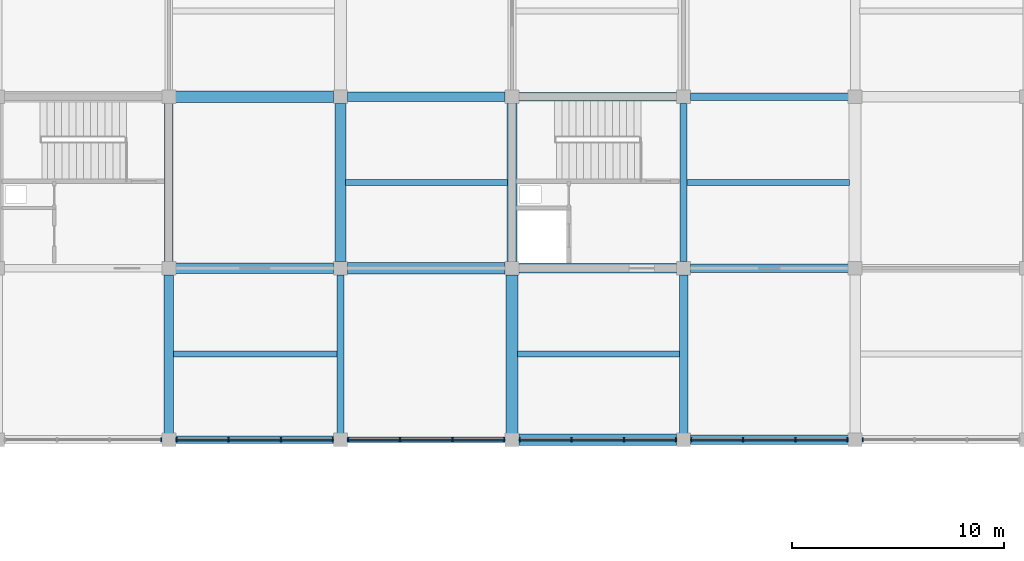
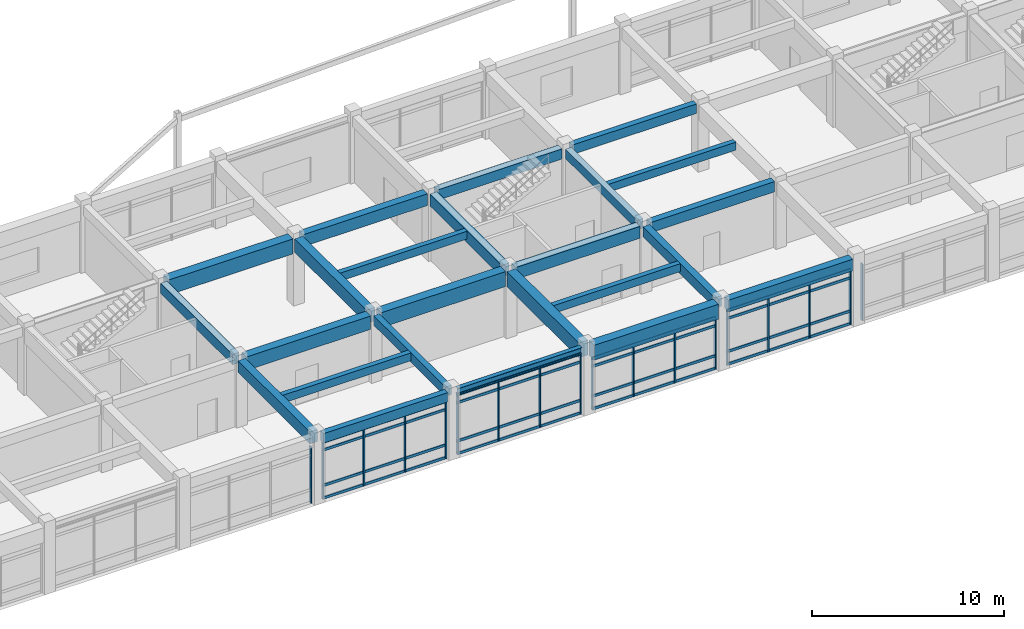
# One storey, part 31 of 93: 34 members, 24 beams, 6 elements without a shape of their own.
"""IFC4 building model written with IfcOpenShell, lengths in metres."""

import ifcopenshell
import ifcopenshell.guid

model = None  # the IFC model being written
_history = None  # IfcOwnerHistory: only IFC2X3 demands one
_inside = {}  # id of a spatial element -> (the spatial element, [elements in it])
_under = {}  # id of a project, library or spatial element -> (it, [spatial elements below it])
_declared = {}  # id of a project -> (the project, [libraries it declares])
_typed = {}  # id of a type object -> (the type object, [elements of that type])
_made_of = {}  # id of a material, layer set ... -> (it, [elements and type objects made of it])


def new_model(schema):
    """Start an empty IFC model of exactly this schema.

    Asked for "IFC4X3", IfcOpenShell would pick the latest addendum, in which some entities
    have other attributes; the version numbers below select the first issue.
    IFC2X3 requires an IfcOwnerHistory on every rooted entity: one is made here for all.
    """
    global model, _history
    if schema == "IFC4X3":
        model = ifcopenshell.file(schema_version=(4, 3, 0, 0))
    else:
        model = ifcopenshell.file(schema=schema)
    _inside.clear()
    _under.clear()
    _declared.clear()
    _typed.clear()
    _made_of.clear()
    _history = None
    if model.schema == "IFC2X3":
        org = make("IfcOrganization", Name="unknown")
        user = make(
            "IfcPersonAndOrganization",
            ThePerson=make("IfcPerson", FamilyName="unknown"),
            TheOrganization=org,
        )
        app = make(
            "IfcApplication",
            ApplicationDeveloper=org,
            Version="unknown",
            ApplicationFullName="unknown",
            ApplicationIdentifier="unknown",
        )
        _history = make(
            "IfcOwnerHistory",
            OwningUser=user,
            OwningApplication=app,
            ChangeAction="ADDED",
            CreationDate=0,
        )
    return model


def make(cls, **values):
    """One entity of the class cls with the attributes given. An attribute that is None is left unset."""
    return model.create_entity(
        cls, **{name: value for name, value in values.items() if value is not None}
    )


def rooted(cls, **values):
    """An entity with a GlobalId (a new one), such as an element, a storey or a relation."""
    return make(cls, GlobalId=ifcopenshell.guid.new(), OwnerHistory=_history, **values)


def si_unit(unit_type, name, prefix=None):
    """IfcSIUnit, for example si_unit("LENGTHUNIT", "METRE", prefix="MILLI")."""
    return make("IfcSIUnit", UnitType=unit_type, Prefix=prefix, Name=name)


def assignment(units):
    """IfcUnitAssignment: the units of a project."""
    return None if units is None else make("IfcUnitAssignment", Units=units)


def point(xyz):
    """IfcCartesianPoint."""
    return None if xyz is None else make("IfcCartesianPoint", Coordinates=xyz)


def direction(xyz):
    """IfcDirection."""
    return None if xyz is None else make("IfcDirection", DirectionRatios=xyz)


def frame(location, z_axis=None, x_axis=None):
    """IfcAxis2Placement3D, a coordinate frame: its origin and axes. An axis left out is left unset."""
    return make(
        "IfcAxis2Placement3D",
        Location=point(location),
        Axis=direction(z_axis),
        RefDirection=direction(x_axis),
    )


def frame_2d(location, x_axis=None):
    """IfcAxis2Placement2D, a coordinate frame in the plane: its origin and x axis."""
    return make(
        "IfcAxis2Placement2D", Location=point(location), RefDirection=direction(x_axis)
    )


def origin():
    """The frame at (0, 0, 0) with its axes left unset."""
    return frame((0.0, 0.0, 0.0))


def origin_2d():
    """The frame at (0, 0) in the plane with its x axis left unset."""
    return frame_2d((0.0, 0.0))


def place(relative_to, where):
    """IfcLocalPlacement: puts the frame where relative to a parent placement (None: the world)."""
    return make(
        "IfcLocalPlacement", PlacementRelTo=relative_to, RelativePlacement=where
    )


def context(
    kind, dimensions, precision=None, world=None, true_north=None, identifier=None
):
    """IfcGeometricRepresentationContext, for example the 3D "Model" context."""
    return make(
        "IfcGeometricRepresentationContext",
        ContextIdentifier=identifier,
        ContextType=kind,
        CoordinateSpaceDimension=dimensions,
        Precision=precision,
        WorldCoordinateSystem=world,
        TrueNorth=true_north,
    )


def subcontext(parent, identifier, kind, view, scale=None):
    """IfcGeometricRepresentationSubContext, for example "Body" below "Model"."""
    return make(
        "IfcGeometricRepresentationSubContext",
        ContextIdentifier=identifier,
        ContextType=kind,
        ParentContext=parent,
        TargetScale=scale,
        TargetView=view,
    )


def project(units=None, contexts=None):
    """IfcProject with its units and contexts."""
    return rooted(
        "IfcProject",
        Name="project",
        RepresentationContexts=contexts,
        UnitsInContext=assignment(units),
    )


def spatial(cls, under=None, at=None, **own):
    """A site, building, storey or space (cls), placed at a placement, below another one or the project."""
    s = rooted(cls, ObjectPlacement=at, **own)
    if under is not None:
        _under.setdefault(under.id(), (under, []))[1].append(s)
    return s


def profile(cls, at=None, kind="AREA", **sizes):
    """A parametric profile (cls). Its sizes go by their IFC names, for example OverallWidth=200.0."""
    return make(cls, ProfileType=kind, Position=at, **sizes)


def rectangle(**sizes):
    """IfcRectangleProfileDef."""
    return profile("IfcRectangleProfileDef", **sizes)


def i_section(**sizes):
    """IfcIShapeProfileDef."""
    return profile("IfcIShapeProfileDef", **sizes)


def extrude(swept, where, along, depth):
    """IfcExtrudedAreaSolid: the profile swept, set in the frame where, extruded along a direction by depth."""
    return make(
        "IfcExtrudedAreaSolid",
        SweptArea=swept,
        Position=where,
        ExtrudedDirection=direction(along),
        Depth=depth,
    )


def shape(context_of_items, identifier, shape_type, items):
    """IfcShapeRepresentation: the items that make up one representation, for example the "Body"."""
    return make(
        "IfcShapeRepresentation",
        ContextOfItems=context_of_items,
        RepresentationIdentifier=identifier,
        RepresentationType=shape_type,
        Items=items,
    )


def material(Name=None, Category=None):
    """IfcMaterial."""
    return make("IfcMaterial", Name=Name, Category=Category)


def layer(
    of_material, thickness, ventilated=None, Name=None, Category=None, Priority=None
):
    """IfcMaterialLayer: one layer of a wall or slab, of a material (None: an air gap)."""
    return make(
        "IfcMaterialLayer",
        Material=of_material,
        LayerThickness=thickness,
        IsVentilated=ventilated,
        Name=Name,
        Category=Category,
        Priority=Priority,
    )


def layer_set(layers, Name=None):
    """IfcMaterialLayerSet."""
    return make("IfcMaterialLayerSet", MaterialLayers=layers, LayerSetName=Name)


def material_profile(
    of_material, cross_section, Name=None, Category=None, Priority=None
):
    """IfcMaterialProfile: a cross section and its material."""
    return make(
        "IfcMaterialProfile",
        Name=Name,
        Material=of_material,
        Profile=cross_section,
        Priority=Priority,
        Category=Category,
    )


def profile_set(profiles, Name=None, composite=None):
    """IfcMaterialProfileSet."""
    return make(
        "IfcMaterialProfileSet",
        Name=Name,
        MaterialProfiles=profiles,
        CompositeProfile=composite,
    )


def made_of(thing, what):
    """Note that an element or type object is made of a material, layer set ...; save() writes the relation."""
    if what is not None:
        _made_of.setdefault(what.id(), (what, []))[1].append(thing)
    return thing


def type_object(cls, material=None, **own):
    """A type object (cls), such as IfcWallType, which elements share."""
    return made_of(rooted(cls, **own), material)


def element(
    cls,
    number,
    at=None,
    inside=None,
    cuts=None,
    type_object=None,
    material=None,
    context=None,
    identifier="Body",
    shape_type=None,
    held_by="IfcProductDefinitionShape",
    body=None,
    shapes=None,
    **own,
):
    """One element of the class cls, such as IfcWall. Its Tag is "e" and its number.

    at: its placement. inside: the storey or other place that contains it. cuts: it is an
    opening in that element (IfcRelVoidsElement). A single representation is given by context,
    identifier, shape_type and body (its items); several are given by shapes. held_by: the class
    of the entity that holds the representations. save() writes the other relations.
    """
    e = rooted(cls, Tag="e%d" % number, ObjectPlacement=at, **own)
    if body is not None:
        shapes = [shape(context, identifier, shape_type, body)]
    if shapes is not None:
        e.Representation = make(held_by, Representations=shapes)
    if inside is not None:
        _inside.setdefault(inside.id(), (inside, []))[1].append(e)
    if cuts is not None:
        rooted(
            "IfcRelVoidsElement", RelatingBuildingElement=cuts, RelatedOpeningElement=e
        )
    if type_object is not None:
        _typed.setdefault(type_object.id(), (type_object, []))[1].append(e)
    return made_of(e, material)


def aggregate(whole, parts):
    """IfcRelAggregates: a whole, such as a stair, and the parts it consists of."""
    return rooted("IfcRelAggregates", RelatingObject=whole, RelatedObjects=parts)


def save(model, path):
    """Write the relations noted so far, then the file.

    IfcRelAggregates (storeys below a building ...), IfcRelContainedInSpatialStructure (elements
    in a storey), IfcRelDefinesByType, IfcRelAssociatesMaterial and IfcRelDeclares: one each for
    every whole, place, type object, material and project.
    """
    for whole, parts in _under.values():
        aggregate(whole, parts)
    for where, things in _inside.values():
        rooted(
            "IfcRelContainedInSpatialStructure",
            RelatedElements=things,
            RelatingStructure=where,
        )
    for kind, things in _typed.values():
        rooted("IfcRelDefinesByType", RelatedObjects=things, RelatingType=kind)
    for what, things in _made_of.values():
        rooted("IfcRelAssociatesMaterial", RelatedObjects=things, RelatingMaterial=what)
    for by, libraries in _declared.values():
        rooted("IfcRelDeclares", RelatingContext=by, RelatedDefinitions=libraries)
    model.write(path)


model = new_model("IFC4")

# Units and contexts
model_context = context("Model", 3, precision=1e-05, world=origin(), true_north=direction((0.0, 1.0)))
body_context = subcontext(model_context, "Body", "Model", "MODEL_VIEW")
ifc_project = project(units=[si_unit("LENGTHUNIT", "METRE"), si_unit("AREAUNIT", "SQUARE_METRE"), si_unit("VOLUMEUNIT", "CUBIC_METRE"), si_unit("PLANEANGLEUNIT", "RADIAN"), si_unit("MASSUNIT", "GRAM", prefix="KILO")], contexts=[model_context])

# Site, building, storey
site_placement = place(None, origin())
site = spatial("IfcSite", under=ifc_project, at=site_placement, CompositionType="ELEMENT")
building_placement = place(site_placement, origin())
building = spatial("IfcBuilding", under=site, at=building_placement, Name="Vaudrelin Polytechnic", CompositionType="ELEMENT")
storey_placement = place(building_placement, frame((0.0, 0.0, 5.10009765625)))
storey = spatial("IfcBuildingStorey", under=building, at=storey_placement, Name="L01", CompositionType="ELEMENT", Elevation=5.10009765625)

# Beams
ifc_material_1 = material(Name="Concrete 40 MPa", Category="concrete")
ifc_material_profile_1 = material_profile(ifc_material_1, rectangle(XDim=0.35009765625, YDim=0.60009765625, at=origin_2d()), Name="RC350x600")
ifc_profile_set_1 = profile_set([ifc_material_profile_1], Name="Concrete 40 MPa")
beam_type_1 = type_object("IfcBeamType", Name="BM-BM-RC3560", PredefinedType="BEAM", material=ifc_profile_set_1)
for number, where, z_axis, x_axis, name in (
    (1, (72.89990234375, 97.510009765625, 3.949951171875), (0.0, 1.0, 0.0), (-1.0, 0.0, 0.0), "L01 Y-beam 10-13"),
    (2, (89.10009765625, 105.610107421875, 3.949951171875), (0.0, 1.0, 0.0), (-1.0, 0.0, 0.0), "L01 Y-beam 12-14"),
):
    element("IfcBeam", number, at=place(storey_placement, frame(where, z_axis=z_axis, x_axis=x_axis)), inside=storey, type_object=beam_type_1, Name=name, PredefinedType="BEAM", context=body_context, shape_type="SweptSolid", body=[
        extrude(rectangle(XDim=0.35009765625, YDim=0.60009765625, at=origin_2d()), origin(), (0.0, 0.0, 1.0), 7.47998046875),
    ])
for number, where, z_axis, x_axis, name in (
    (3, (65.12109375, 97.199951171875, 3.949951171875), (1.0, 0.0, 0.0), (0.0, 1.0, 0.0), "L01 X-beam 9-13"),
    (4, (89.4208984375, 113.39990234375, 3.949951171875), (1.0, 0.0, 0.0), (0.0, 1.0, 0.0), "L01 X-beam 12-15"),
):
    element("IfcBeam", number, at=place(storey_placement, frame(where, z_axis=z_axis, x_axis=x_axis)), inside=storey, type_object=beam_type_1, Name=name, PredefinedType="BEAM", context=body_context, shape_type="SweptSolid", body=[
        extrude(rectangle(XDim=0.35009765625, YDim=0.60009765625, at=origin_2d()), origin(), (0.0, 0.0, 1.0), 7.4580078125),
    ])
ifc_material_profile_2 = material_profile(ifc_material_1, rectangle(XDim=0.39990234375, YDim=0.64990234375, at=origin_2d()), Name="RC400x650")
ifc_profile_set_2 = profile_set([ifc_material_profile_2], Name="Concrete 40 MPa")
beam_type_2 = type_object("IfcBeamType", Name="BM-BM-RC4065", PredefinedType="BEAM", material=ifc_profile_set_2)
for number, where, z_axis, x_axis, name in (
    (5, (64.800048828125, 105.610107421875, 3.9248046875), (0.0, 1.0, 0.0), (-1.0, 0.0, 0.0), "L01 Y-beam 9-14"),
    (6, (89.10009765625, 97.510009765625, 3.9248046875), (0.0, 1.0, 0.0), (-1.0, 0.0, 0.0), "L01 Y-beam 12-13"),
):
    element("IfcBeam", number, at=place(storey_placement, frame(where, z_axis=z_axis, x_axis=x_axis)), inside=storey, type_object=beam_type_2, Name=name, PredefinedType="BEAM", context=body_context, shape_type="SweptSolid", body=[
        extrude(rectangle(XDim=0.39990234375, YDim=0.64990234375, at=origin_2d()), origin(), (0.0, 0.0, 1.0), 7.47998046875),
    ])
for number, where, z_axis, x_axis, name in (
    (7, (81.321044921875, 113.39990234375, 3.9248046875), (1.0, 0.0, 0.0), (0.0, 1.0, 0.0), "L01 X-beam 11-15"),
    (8, (89.4208984375, 105.300048828125, 3.9248046875), (1.0, 0.0, 0.0), (0.0, 1.0, 0.0), "L01 X-beam 12-14"),
):
    element("IfcBeam", number, at=place(storey_placement, frame(where, z_axis=z_axis, x_axis=x_axis)), inside=storey, type_object=beam_type_2, Name=name, PredefinedType="BEAM", context=body_context, shape_type="SweptSolid", body=[
        extrude(rectangle(XDim=0.39990234375, YDim=0.64990234375, at=origin_2d()), origin(), (0.0, 0.0, 1.0), 7.4580078125),
    ])
ifc_material_profile_3 = material_profile(ifc_material_1, rectangle(XDim=0.449951171875, YDim=0.75, at=origin_2d()), Name="RC450x750")
ifc_profile_set_3 = profile_set([ifc_material_profile_3], Name="Concrete 40 MPa")
beam_type_3 = type_object("IfcBeamType", Name="BM-BM-RC4575", PredefinedType="BEAM", material=ifc_profile_set_3)
for number, where, z_axis, x_axis, name in (
    (9, (64.800048828125, 97.510009765625, 3.875), (0.0, 1.0, 0.0), (-1.0, 0.0, 0.0), "L01 Y-beam 9-13"),
    (10, (81.0, 105.610107421875, 3.875), (0.0, 1.0, 0.0), (-1.0, 0.0, 0.0), "L01 Y-beam 11-14"),
):
    element("IfcBeam", number, at=place(storey_placement, frame(where, z_axis=z_axis, x_axis=x_axis)), inside=storey, type_object=beam_type_3, Name=name, PredefinedType="BEAM", context=body_context, shape_type="SweptSolid", body=[
        extrude(rectangle(XDim=0.449951171875, YDim=0.75, at=origin_2d()), origin(), (0.0, 0.0, 1.0), 7.47998046875),
    ])
for number, where, z_axis, x_axis, name in (
    (11, (73.220947265625, 113.39990234375, 3.875), (1.0, 0.0, 0.0), (0.0, 1.0, 0.0), "L01 X-beam 10-15"),
    (12, (81.321044921875, 105.300048828125, 3.875), (1.0, 0.0, 0.0), (0.0, 1.0, 0.0), "L01 X-beam 11-14"),
    (13, (89.4208984375, 97.199951171875, 3.875), (1.0, 0.0, 0.0), (0.0, 1.0, 0.0), "L01 X-beam 12-13"),
):
    element("IfcBeam", number, at=place(storey_placement, frame(where, z_axis=z_axis, x_axis=x_axis)), inside=storey, type_object=beam_type_3, Name=name, PredefinedType="BEAM", context=body_context, shape_type="SweptSolid", body=[
        extrude(rectangle(XDim=0.449951171875, YDim=0.75, at=origin_2d()), origin(), (0.0, 0.0, 1.0), 7.4580078125),
    ])
ifc_material_profile_4 = material_profile(ifc_material_1, rectangle(XDim=0.5, YDim=0.85009765625, at=origin_2d()), Name="RC500x850")
ifc_profile_set_4 = profile_set([ifc_material_profile_4], Name="Concrete 40 MPa")
beam_type_4 = type_object("IfcBeamType", Name="BM-BM-RC5085", PredefinedType="BEAM", material=ifc_profile_set_4)
beam_1_placement = place(storey_placement, frame((72.89990234375, 105.610107421875, 3.824951171875), z_axis=(0.0, 1.0, 0.0), x_axis=(-1.0, 0.0, 0.0)))
element("IfcBeam", 14, at=beam_1_placement, inside=storey, type_object=beam_type_4, Name="L01 Y-beam 10-14", PredefinedType="BEAM", context=body_context, shape_type="SweptSolid", body=[
    extrude(rectangle(XDim=0.5, YDim=0.85009765625, at=origin_2d()), origin(), (0.0, 0.0, 1.0), 7.47998046875),
])
beam_2_placement = place(storey_placement, frame((65.12109375, 105.300048828125, 3.824951171875), z_axis=(1.0, 0.0, 0.0), x_axis=(0.0, 1.0, 0.0)))
element("IfcBeam", 15, at=beam_2_placement, inside=storey, type_object=beam_type_4, Name="L01 X-beam 9-14", PredefinedType="BEAM", context=body_context, shape_type="SweptSolid", body=[
    extrude(rectangle(XDim=0.5, YDim=0.85009765625, at=origin_2d()), origin(), (0.0, 0.0, 1.0), 7.4580078125),
])
ifc_material_2 = material(Name="Concrete 50 MPa", Category="concrete")
ifc_material_profile_5 = material_profile(ifc_material_2, rectangle(XDim=0.550048828125, YDim=0.949951171875, at=origin_2d()), Name="RC550x950")
ifc_profile_set_5 = profile_set([ifc_material_profile_5], Name="Concrete 50 MPa")
beam_type_5 = type_object("IfcBeamType", Name="BM-BM-RC5595", PredefinedType="BEAM", material=ifc_profile_set_5)
beam_3_placement = place(storey_placement, frame((81.0, 97.510009765625, 3.77490234375), z_axis=(0.0, 1.0, 0.0), x_axis=(-1.0, 0.0, 0.0)))
element("IfcBeam", 16, at=beam_3_placement, inside=storey, type_object=beam_type_5, Name="L01 Y-beam 11-13", PredefinedType="BEAM", context=body_context, shape_type="SweptSolid", body=[
    extrude(rectangle(XDim=0.550048828125, YDim=0.949951171875, at=origin_2d()), origin(), (0.0, 0.0, 1.0), 7.47998046875),
])
for number, where, z_axis, x_axis, name in (
    (17, (65.12109375, 113.39990234375, 3.77490234375), (1.0, 0.0, 0.0), (0.0, 1.0, 0.0), "L01 X-beam 9-15"),
    (18, (73.220947265625, 105.300048828125, 3.77490234375), (1.0, 0.0, 0.0), (0.0, 1.0, 0.0), "L01 X-beam 10-14"),
    (19, (81.321044921875, 97.199951171875, 3.77490234375), (1.0, 0.0, 0.0), (0.0, 1.0, 0.0), "L01 X-beam 11-13"),
):
    element("IfcBeam", number, at=place(storey_placement, frame(where, z_axis=z_axis, x_axis=x_axis)), inside=storey, type_object=beam_type_5, Name=name, PredefinedType="BEAM", context=body_context, shape_type="SweptSolid", body=[
        extrude(rectangle(XDim=0.550048828125, YDim=0.949951171875, at=origin_2d()), origin(), (0.0, 0.0, 1.0), 7.4580078125),
    ])
ifc_material_3 = material(Name="Steel CSA G40.21 350WT", Category="steel")
ifc_material_profile_6 = material_profile(ifc_material_3, i_section(OverallWidth=0.260009765625, OverallDepth=0.4150390625, WebThickness=0.010009765625, FlangeThickness=0.016845703125, FilletRadius=0.01611328125, at=origin_2d()), Name="W410x100")
ifc_profile_set_6 = profile_set([ifc_material_profile_6], Name="Steel CSA G40.21 350WT")
beam_type_6 = type_object("IfcBeamType", Name="BM-BM-W410H", PredefinedType="SPANDREL", material=ifc_profile_set_6)
beam_4_placement = place(storey_placement, frame((73.220947265625, 97.199951171875, 4.04248046875), z_axis=(1.0, 0.0, 0.0), x_axis=(0.0, 1.0, 0.0)))
element("IfcBeam", 20, at=beam_4_placement, inside=storey, type_object=beam_type_6, Name="L01 X-beam 10-13", PredefinedType="SPANDREL", context=body_context, shape_type="SweptSolid", body=[
    extrude(i_section(OverallWidth=0.260009765625, OverallDepth=0.4150390625, WebThickness=0.010009765625, FlangeThickness=0.016845703125, FilletRadius=0.01611328125, at=origin_2d()), origin(), (0.0, 0.0, 1.0), 7.4580078125),
])
ifc_material_profile_7 = material_profile(ifc_material_1, rectangle(XDim=0.300048828125, YDim=0.5, at=origin_2d()), Name="RC300x500")
ifc_profile_set_7 = profile_set([ifc_material_profile_7], Name="Concrete 40 MPa")
beam_type_7 = type_object("IfcBeamType", Name="BM-JS-RC3050", PredefinedType="JOIST", material=ifc_profile_set_7)
beam_5_placement = place(storey_placement, frame((65.02099609375, 101.25, 4.0), z_axis=(1.0, 0.0, 0.0), x_axis=(0.0, 1.0, 0.0)))
element("IfcBeam", 21, at=beam_5_placement, inside=storey, type_object=beam_type_7, Name="L01 floor joist 9-13", PredefinedType="JOIST", context=body_context, shape_type="SweptSolid", body=[
    extrude(rectangle(XDim=0.300048828125, YDim=0.5, at=origin_2d()), origin(), (0.0, 0.0, 1.0), 7.7080078125),
])
for number, where, z_axis, x_axis, name in (
    (22, (73.14599609375, 109.35009765625, 4.0), (1.0, 0.0, 0.0), (0.0, 1.0, 0.0), "L01 floor joist 10-14"),
    (23, (81.27099609375, 101.25, 4.0), (1.0, 0.0, 0.0), (0.0, 1.0, 0.0), "L01 floor joist 11-13"),
):
    element("IfcBeam", number, at=place(storey_placement, frame(where, z_axis=z_axis, x_axis=x_axis)), inside=storey, type_object=beam_type_7, Name=name, PredefinedType="JOIST", context=body_context, shape_type="SweptSolid", body=[
        extrude(rectangle(XDim=0.300048828125, YDim=0.5, at=origin_2d()), origin(), (0.0, 0.0, 1.0), 7.633056640625),
    ])
beam_6_placement = place(storey_placement, frame((89.27099609375, 109.35009765625, 4.0), z_axis=(1.0, 0.0, 0.0), x_axis=(0.0, 1.0, 0.0)))
element("IfcBeam", 24, at=beam_6_placement, inside=storey, type_object=beam_type_7, Name="L01 floor joist 12-14", PredefinedType="JOIST", context=body_context, shape_type="SweptSolid", body=[
    extrude(rectangle(XDim=0.300048828125, YDim=0.5, at=origin_2d()), origin(), (0.0, 0.0, 1.0), 7.657958984375),
])

# Curtain wall, member
ifc_material_4 = material(Name="Thermally broken anodised aluminium AA 6063-T6 and low-e triple glazing", Category="aluminium")
ifc_layer = layer(ifc_material_4, 0.199951171875)
ifc_layer_set = layer_set([ifc_layer], Name="Thermally broken anodised aluminium AA 6063-T6 and low-e triple glazing")
curtain_wall_type = type_object("IfcCurtainWallType", Name="CW-CW-LIB", PredefinedType="USERDEFINED", material=ifc_layer_set)
curtain_wall_1_placement = place(storey_placement, origin())
curtain_wall_1 = element("IfcCurtainWall", 25, at=curtain_wall_1_placement, inside=storey, type_object=curtain_wall_type, Name="Curtain wall L01 CT_N_03", ObjectType="CURTAIN WALL", PredefinedType="USERDEFINED")
ifc_material_5 = material(Name="Anodised aluminium AA 6063-T6", Category="aluminium")
ifc_material_profile_8 = material_profile(ifc_material_5, rectangle(XDim=0.06494140625, YDim=0.179931640625, at=origin_2d()), Name="CWM-65x180")
ifc_profile_set_8 = profile_set([ifc_material_profile_8], Name="Anodised aluminium AA 6063-T6")
member_type_1 = type_object("IfcMemberType", Name="MEM-CWM-180", PredefinedType="MULLION", material=ifc_profile_set_8)
member_1_placement = place(storey_placement, frame((64.43701171875, 97.199951171875, 0.0), z_axis=(0.0, 0.0, 1.0), x_axis=(1.0, 0.0, 0.0)))
member_1 = element("IfcMember", 26, at=member_1_placement, type_object=member_type_1, Name="CT_N_03 mullion 4", PredefinedType="MULLION", context=body_context, shape_type="SweptSolid", body=[
    extrude(rectangle(XDim=0.06494140625, YDim=0.179931640625, at=origin_2d()), origin(), (0.0, 0.0, 1.0), 3.601806640625),
])
aggregate(curtain_wall_1, [member_1])

# Curtain wall, members
curtain_wall_2_placement = place(storey_placement, origin())
curtain_wall_2 = element("IfcCurtainWall", 27, at=curtain_wall_2_placement, inside=storey, type_object=curtain_wall_type, Name="Curtain wall L01 CT_N_04", ObjectType="CURTAIN WALL", PredefinedType="USERDEFINED")
member_2_placement = place(storey_placement, frame((65.1630859375, 97.199951171875, 0.0), z_axis=(0.0, 0.0, 1.0), x_axis=(1.0, 0.0, 0.0)))
member_2 = element("IfcMember", 28, at=member_2_placement, type_object=member_type_1, Name="CT_N_04 mullion 1", PredefinedType="MULLION", context=body_context, shape_type="SweptSolid", body=[
    extrude(rectangle(XDim=0.06494140625, YDim=0.179931640625, at=origin_2d()), origin(), (0.0, 0.0, 1.0), 3.65185546875),
])
member_3_placement = place(storey_placement, frame((67.607666015625, 97.199951171875, 0.0), z_axis=(0.0, 0.0, 1.0), x_axis=(1.0, 0.0, 0.0)))
member_3 = element("IfcMember", 29, at=member_3_placement, type_object=member_type_1, Name="CT_N_04 mullion 2", PredefinedType="MULLION", context=body_context, shape_type="SweptSolid", body=[
    extrude(rectangle(XDim=0.06494140625, YDim=0.179931640625, at=origin_2d()), origin(), (0.0, 0.0, 1.0), 3.65185546875),
])
member_4_placement = place(storey_placement, frame((70.09228515625, 97.199951171875, 0.0), z_axis=(0.0, 0.0, 1.0), x_axis=(1.0, 0.0, 0.0)))
member_4 = element("IfcMember", 30, at=member_4_placement, type_object=member_type_1, Name="CT_N_04 mullion 3", PredefinedType="MULLION", context=body_context, shape_type="SweptSolid", body=[
    extrude(rectangle(XDim=0.06494140625, YDim=0.179931640625, at=origin_2d()), origin(), (0.0, 0.0, 1.0), 3.65185546875),
])
member_5_placement = place(storey_placement, frame((72.537109375, 97.199951171875, 0.0), z_axis=(0.0, 0.0, 1.0), x_axis=(1.0, 0.0, 0.0)))
member_5 = element("IfcMember", 31, at=member_5_placement, type_object=member_type_1, Name="CT_N_04 mullion 4", PredefinedType="MULLION", context=body_context, shape_type="SweptSolid", body=[
    extrude(rectangle(XDim=0.06494140625, YDim=0.179931640625, at=origin_2d()), origin(), (0.0, 0.0, 1.0), 3.65185546875),
])

curtain_wall_3_placement = place(storey_placement, origin())
curtain_wall_3 = element("IfcCurtainWall", 32, at=curtain_wall_3_placement, inside=storey, type_object=curtain_wall_type, Name="Curtain wall L01 CT_N_05", ObjectType="CURTAIN WALL", PredefinedType="USERDEFINED")
member_6_placement = place(storey_placement, frame((73.262939453125, 97.199951171875, 0.0), z_axis=(0.0, 0.0, 1.0), x_axis=(1.0, 0.0, 0.0)))
member_6 = element("IfcMember", 33, at=member_6_placement, type_object=member_type_1, Name="CT_N_05 mullion 1", PredefinedType="MULLION", context=body_context, shape_type="SweptSolid", body=[
    extrude(rectangle(XDim=0.06494140625, YDim=0.179931640625, at=origin_2d()), origin(), (0.0, 0.0, 1.0), 3.8369140625),
])
member_7_placement = place(storey_placement, frame((75.707763671875, 97.199951171875, 0.0), z_axis=(0.0, 0.0, 1.0), x_axis=(1.0, 0.0, 0.0)))
member_7 = element("IfcMember", 34, at=member_7_placement, type_object=member_type_1, Name="CT_N_05 mullion 2", PredefinedType="MULLION", context=body_context, shape_type="SweptSolid", body=[
    extrude(rectangle(XDim=0.06494140625, YDim=0.179931640625, at=origin_2d()), origin(), (0.0, 0.0, 1.0), 3.8369140625),
])
member_8_placement = place(storey_placement, frame((78.1923828125, 97.199951171875, 0.0), z_axis=(0.0, 0.0, 1.0), x_axis=(1.0, 0.0, 0.0)))
member_8 = element("IfcMember", 35, at=member_8_placement, type_object=member_type_1, Name="CT_N_05 mullion 3", PredefinedType="MULLION", context=body_context, shape_type="SweptSolid", body=[
    extrude(rectangle(XDim=0.06494140625, YDim=0.179931640625, at=origin_2d()), origin(), (0.0, 0.0, 1.0), 3.8369140625),
])
member_9_placement = place(storey_placement, frame((80.636962890625, 97.199951171875, 0.0), z_axis=(0.0, 0.0, 1.0), x_axis=(1.0, 0.0, 0.0)))
member_9 = element("IfcMember", 36, at=member_9_placement, type_object=member_type_1, Name="CT_N_05 mullion 4", PredefinedType="MULLION", context=body_context, shape_type="SweptSolid", body=[
    extrude(rectangle(XDim=0.06494140625, YDim=0.179931640625, at=origin_2d()), origin(), (0.0, 0.0, 1.0), 3.8369140625),
])

curtain_wall_4_placement = place(storey_placement, origin())
curtain_wall_4 = element("IfcCurtainWall", 37, at=curtain_wall_4_placement, inside=storey, type_object=curtain_wall_type, Name="Curtain wall L01 CT_N_06", ObjectType="CURTAIN WALL", PredefinedType="USERDEFINED")
member_10_placement = place(storey_placement, frame((81.363037109375, 97.199951171875, 0.0), z_axis=(0.0, 0.0, 1.0), x_axis=(1.0, 0.0, 0.0)))
member_10 = element("IfcMember", 38, at=member_10_placement, type_object=member_type_1, Name="CT_N_06 mullion 1", PredefinedType="MULLION", context=body_context, shape_type="SweptSolid", body=[
    extrude(rectangle(XDim=0.06494140625, YDim=0.179931640625, at=origin_2d()), origin(), (0.0, 0.0, 1.0), 3.302001953125),
])
member_11_placement = place(storey_placement, frame((83.8076171875, 97.199951171875, 0.0), z_axis=(0.0, 0.0, 1.0), x_axis=(1.0, 0.0, 0.0)))
member_11 = element("IfcMember", 39, at=member_11_placement, type_object=member_type_1, Name="CT_N_06 mullion 2", PredefinedType="MULLION", context=body_context, shape_type="SweptSolid", body=[
    extrude(rectangle(XDim=0.06494140625, YDim=0.179931640625, at=origin_2d()), origin(), (0.0, 0.0, 1.0), 3.302001953125),
])
member_12_placement = place(storey_placement, frame((86.292236328125, 97.199951171875, 0.0), z_axis=(0.0, 0.0, 1.0), x_axis=(1.0, 0.0, 0.0)))
member_12 = element("IfcMember", 40, at=member_12_placement, type_object=member_type_1, Name="CT_N_06 mullion 3", PredefinedType="MULLION", context=body_context, shape_type="SweptSolid", body=[
    extrude(rectangle(XDim=0.06494140625, YDim=0.179931640625, at=origin_2d()), origin(), (0.0, 0.0, 1.0), 3.302001953125),
])
member_13_placement = place(storey_placement, frame((88.737060546875, 97.199951171875, 0.0), z_axis=(0.0, 0.0, 1.0), x_axis=(1.0, 0.0, 0.0)))
member_13 = element("IfcMember", 41, at=member_13_placement, type_object=member_type_1, Name="CT_N_06 mullion 4", PredefinedType="MULLION", context=body_context, shape_type="SweptSolid", body=[
    extrude(rectangle(XDim=0.06494140625, YDim=0.179931640625, at=origin_2d()), origin(), (0.0, 0.0, 1.0), 3.302001953125),
])

curtain_wall_5_placement = place(storey_placement, origin())
curtain_wall_5 = element("IfcCurtainWall", 42, at=curtain_wall_5_placement, inside=storey, type_object=curtain_wall_type, Name="Curtain wall L01 CT_N_07", ObjectType="CURTAIN WALL", PredefinedType="USERDEFINED")
member_14_placement = place(storey_placement, frame((89.462890625, 97.199951171875, 0.0), z_axis=(0.0, 0.0, 1.0), x_axis=(1.0, 0.0, 0.0)))
member_14 = element("IfcMember", 43, at=member_14_placement, type_object=member_type_1, Name="CT_N_07 mullion 1", PredefinedType="MULLION", context=body_context, shape_type="SweptSolid", body=[
    extrude(rectangle(XDim=0.06494140625, YDim=0.179931640625, at=origin_2d()), origin(), (0.0, 0.0, 1.0), 3.501953125),
])
member_15_placement = place(storey_placement, frame((91.90771484375, 97.199951171875, 0.0), z_axis=(0.0, 0.0, 1.0), x_axis=(1.0, 0.0, 0.0)))
member_15 = element("IfcMember", 44, at=member_15_placement, type_object=member_type_1, Name="CT_N_07 mullion 2", PredefinedType="MULLION", context=body_context, shape_type="SweptSolid", body=[
    extrude(rectangle(XDim=0.06494140625, YDim=0.179931640625, at=origin_2d()), origin(), (0.0, 0.0, 1.0), 3.501953125),
])
member_16_placement = place(storey_placement, frame((94.392333984375, 97.199951171875, 0.0), z_axis=(0.0, 0.0, 1.0), x_axis=(1.0, 0.0, 0.0)))
member_16 = element("IfcMember", 45, at=member_16_placement, type_object=member_type_1, Name="CT_N_07 mullion 3", PredefinedType="MULLION", context=body_context, shape_type="SweptSolid", body=[
    extrude(rectangle(XDim=0.06494140625, YDim=0.179931640625, at=origin_2d()), origin(), (0.0, 0.0, 1.0), 3.501953125),
])
member_17_placement = place(storey_placement, frame((96.8369140625, 97.199951171875, 0.0), z_axis=(0.0, 0.0, 1.0), x_axis=(1.0, 0.0, 0.0)))
member_17 = element("IfcMember", 46, at=member_17_placement, type_object=member_type_1, Name="CT_N_07 mullion 4", PredefinedType="MULLION", context=body_context, shape_type="SweptSolid", body=[
    extrude(rectangle(XDim=0.06494140625, YDim=0.179931640625, at=origin_2d()), origin(), (0.0, 0.0, 1.0), 3.501953125),
])

# Curtain wall, member
curtain_wall_6_placement = place(storey_placement, origin())
curtain_wall_6 = element("IfcCurtainWall", 47, at=curtain_wall_6_placement, inside=storey, type_object=curtain_wall_type, Name="Curtain wall L01 CT_N_08", ObjectType="CURTAIN WALL", PredefinedType="USERDEFINED")
member_18_placement = place(storey_placement, frame((97.56298828125, 97.199951171875, 0.0), z_axis=(0.0, 0.0, 1.0), x_axis=(1.0, 0.0, 0.0)))
member_18 = element("IfcMember", 48, at=member_18_placement, type_object=member_type_1, Name="CT_N_08 mullion 1", PredefinedType="MULLION", context=body_context, shape_type="SweptSolid", body=[
    extrude(rectangle(XDim=0.06494140625, YDim=0.179931640625, at=origin_2d()), origin(), (0.0, 0.0, 1.0), 3.601806640625),
])
aggregate(curtain_wall_6, [member_18])

# Member
ifc_material_profile_9 = material_profile(ifc_material_5, rectangle(XDim=0.074951171875, YDim=0.1650390625, at=origin_2d()), Name="CWT-75x165")
ifc_profile_set_9 = profile_set([ifc_material_profile_9], Name="Anodised aluminium AA 6063-T6")
member_type_2 = type_object("IfcMemberType", Name="MEM-CWT-165", PredefinedType="USERDEFINED", material=ifc_profile_set_9)
member_19_placement = place(storey_placement, frame((65.123046875, 97.199951171875, 0.0498046875), z_axis=(1.0, 0.0, 0.0), x_axis=(0.0, 1.0, 0.0)))
member_19 = element("IfcMember", 49, at=member_19_placement, type_object=member_type_2, Name="CT_N_04 transom 1", ObjectType="TRANSOM", PredefinedType="USERDEFINED", context=body_context, shape_type="SweptSolid", body=[
    extrude(rectangle(XDim=0.074951171875, YDim=0.1650390625, at=origin_2d()), origin(), (0.0, 0.0, 1.0), 7.453857421875),
])

member_20_placement = place(storey_placement, frame((65.123046875, 97.199951171875, 0.849853515625), z_axis=(1.0, 0.0, 0.0), x_axis=(0.0, 1.0, 0.0)))
member_20 = element("IfcMember", 50, at=member_20_placement, type_object=member_type_2, Name="CT_N_04 transom 2", ObjectType="TRANSOM", PredefinedType="USERDEFINED", context=body_context, shape_type="SweptSolid", body=[
    extrude(rectangle(XDim=0.074951171875, YDim=0.1650390625, at=origin_2d()), origin(), (0.0, 0.0, 1.0), 7.453857421875),
])

member_21_placement = place(storey_placement, frame((65.123046875, 97.199951171875, 3.101806640625), z_axis=(1.0, 0.0, 0.0), x_axis=(0.0, 1.0, 0.0)))
member_21 = element("IfcMember", 51, at=member_21_placement, type_object=member_type_2, Name="CT_N_04 transom 3", ObjectType="TRANSOM", PredefinedType="USERDEFINED", context=body_context, shape_type="SweptSolid", body=[
    extrude(rectangle(XDim=0.074951171875, YDim=0.1650390625, at=origin_2d()), origin(), (0.0, 0.0, 1.0), 7.453857421875),
])

member_22_placement = place(storey_placement, frame((65.123046875, 97.199951171875, 3.601806640625), z_axis=(1.0, 0.0, 0.0), x_axis=(0.0, 1.0, 0.0)))
member_22 = element("IfcMember", 52, at=member_22_placement, type_object=member_type_2, Name="CT_N_04 transom 4", ObjectType="TRANSOM", PredefinedType="USERDEFINED", context=body_context, shape_type="SweptSolid", body=[
    extrude(rectangle(XDim=0.074951171875, YDim=0.1650390625, at=origin_2d()), origin(), (0.0, 0.0, 1.0), 7.453857421875),
])

aggregate(curtain_wall_2, [member_2, member_3, member_4, member_5, member_19, member_20, member_21, member_22])

member_23_placement = place(storey_placement, frame((73.222900390625, 97.199951171875, 0.0498046875), z_axis=(1.0, 0.0, 0.0), x_axis=(0.0, 1.0, 0.0)))
member_23 = element("IfcMember", 53, at=member_23_placement, type_object=member_type_2, Name="CT_N_05 transom 1", ObjectType="TRANSOM", PredefinedType="USERDEFINED", context=body_context, shape_type="SweptSolid", body=[
    extrude(rectangle(XDim=0.074951171875, YDim=0.1650390625, at=origin_2d()), origin(), (0.0, 0.0, 1.0), 7.4541015625),
])

member_24_placement = place(storey_placement, frame((73.222900390625, 97.199951171875, 0.849853515625), z_axis=(1.0, 0.0, 0.0), x_axis=(0.0, 1.0, 0.0)))
member_24 = element("IfcMember", 54, at=member_24_placement, type_object=member_type_2, Name="CT_N_05 transom 2", ObjectType="TRANSOM", PredefinedType="USERDEFINED", context=body_context, shape_type="SweptSolid", body=[
    extrude(rectangle(XDim=0.074951171875, YDim=0.1650390625, at=origin_2d()), origin(), (0.0, 0.0, 1.0), 7.4541015625),
])

member_25_placement = place(storey_placement, frame((73.222900390625, 97.199951171875, 3.286865234375), z_axis=(1.0, 0.0, 0.0), x_axis=(0.0, 1.0, 0.0)))
member_25 = element("IfcMember", 55, at=member_25_placement, type_object=member_type_2, Name="CT_N_05 transom 3", ObjectType="TRANSOM", PredefinedType="USERDEFINED", context=body_context, shape_type="SweptSolid", body=[
    extrude(rectangle(XDim=0.074951171875, YDim=0.1650390625, at=origin_2d()), origin(), (0.0, 0.0, 1.0), 7.4541015625),
])

member_26_placement = place(storey_placement, frame((73.222900390625, 97.199951171875, 3.786865234375), z_axis=(1.0, 0.0, 0.0), x_axis=(0.0, 1.0, 0.0)))
member_26 = element("IfcMember", 56, at=member_26_placement, type_object=member_type_2, Name="CT_N_05 transom 4", ObjectType="TRANSOM", PredefinedType="USERDEFINED", context=body_context, shape_type="SweptSolid", body=[
    extrude(rectangle(XDim=0.074951171875, YDim=0.1650390625, at=origin_2d()), origin(), (0.0, 0.0, 1.0), 7.4541015625),
])

aggregate(curtain_wall_3, [member_6, member_7, member_8, member_9, member_23, member_24, member_25, member_26])

member_27_placement = place(storey_placement, frame((81.322998046875, 97.199951171875, 0.0498046875), z_axis=(1.0, 0.0, 0.0), x_axis=(0.0, 1.0, 0.0)))
member_27 = element("IfcMember", 57, at=member_27_placement, type_object=member_type_2, Name="CT_N_06 transom 1", ObjectType="TRANSOM", PredefinedType="USERDEFINED", context=body_context, shape_type="SweptSolid", body=[
    extrude(rectangle(XDim=0.074951171875, YDim=0.1650390625, at=origin_2d()), origin(), (0.0, 0.0, 1.0), 7.4541015625),
])

member_28_placement = place(storey_placement, frame((81.322998046875, 97.199951171875, 0.849853515625), z_axis=(1.0, 0.0, 0.0), x_axis=(0.0, 1.0, 0.0)))
member_28 = element("IfcMember", 58, at=member_28_placement, type_object=member_type_2, Name="CT_N_06 transom 2", ObjectType="TRANSOM", PredefinedType="USERDEFINED", context=body_context, shape_type="SweptSolid", body=[
    extrude(rectangle(XDim=0.074951171875, YDim=0.1650390625, at=origin_2d()), origin(), (0.0, 0.0, 1.0), 7.4541015625),
])

member_29_placement = place(storey_placement, frame((81.322998046875, 97.199951171875, 2.751953125), z_axis=(1.0, 0.0, 0.0), x_axis=(0.0, 1.0, 0.0)))
member_29 = element("IfcMember", 59, at=member_29_placement, type_object=member_type_2, Name="CT_N_06 transom 3", ObjectType="TRANSOM", PredefinedType="USERDEFINED", context=body_context, shape_type="SweptSolid", body=[
    extrude(rectangle(XDim=0.074951171875, YDim=0.1650390625, at=origin_2d()), origin(), (0.0, 0.0, 1.0), 7.4541015625),
])

member_30_placement = place(storey_placement, frame((81.322998046875, 97.199951171875, 3.251953125), z_axis=(1.0, 0.0, 0.0), x_axis=(0.0, 1.0, 0.0)))
member_30 = element("IfcMember", 60, at=member_30_placement, type_object=member_type_2, Name="CT_N_06 transom 4", ObjectType="TRANSOM", PredefinedType="USERDEFINED", context=body_context, shape_type="SweptSolid", body=[
    extrude(rectangle(XDim=0.074951171875, YDim=0.1650390625, at=origin_2d()), origin(), (0.0, 0.0, 1.0), 7.4541015625),
])

aggregate(curtain_wall_4, [member_10, member_11, member_12, member_13, member_27, member_28, member_29, member_30])

member_31_placement = place(storey_placement, frame((89.423095703125, 97.199951171875, 0.0498046875), z_axis=(1.0, 0.0, 0.0), x_axis=(0.0, 1.0, 0.0)))
member_31 = element("IfcMember", 61, at=member_31_placement, type_object=member_type_2, Name="CT_N_07 transom 1", ObjectType="TRANSOM", PredefinedType="USERDEFINED", context=body_context, shape_type="SweptSolid", body=[
    extrude(rectangle(XDim=0.074951171875, YDim=0.1650390625, at=origin_2d()), origin(), (0.0, 0.0, 1.0), 7.453857421875),
])

member_32_placement = place(storey_placement, frame((89.423095703125, 97.199951171875, 0.849853515625), z_axis=(1.0, 0.0, 0.0), x_axis=(0.0, 1.0, 0.0)))
member_32 = element("IfcMember", 62, at=member_32_placement, type_object=member_type_2, Name="CT_N_07 transom 2", ObjectType="TRANSOM", PredefinedType="USERDEFINED", context=body_context, shape_type="SweptSolid", body=[
    extrude(rectangle(XDim=0.074951171875, YDim=0.1650390625, at=origin_2d()), origin(), (0.0, 0.0, 1.0), 7.453857421875),
])

member_33_placement = place(storey_placement, frame((89.423095703125, 97.199951171875, 2.951904296875), z_axis=(1.0, 0.0, 0.0), x_axis=(0.0, 1.0, 0.0)))
member_33 = element("IfcMember", 63, at=member_33_placement, type_object=member_type_2, Name="CT_N_07 transom 3", ObjectType="TRANSOM", PredefinedType="USERDEFINED", context=body_context, shape_type="SweptSolid", body=[
    extrude(rectangle(XDim=0.074951171875, YDim=0.1650390625, at=origin_2d()), origin(), (0.0, 0.0, 1.0), 7.453857421875),
])

member_34_placement = place(storey_placement, frame((89.423095703125, 97.199951171875, 3.451904296875), z_axis=(1.0, 0.0, 0.0), x_axis=(0.0, 1.0, 0.0)))
member_34 = element("IfcMember", 64, at=member_34_placement, type_object=member_type_2, Name="CT_N_07 transom 4", ObjectType="TRANSOM", PredefinedType="USERDEFINED", context=body_context, shape_type="SweptSolid", body=[
    extrude(rectangle(XDim=0.074951171875, YDim=0.1650390625, at=origin_2d()), origin(), (0.0, 0.0, 1.0), 7.453857421875),
])

aggregate(curtain_wall_5, [member_14, member_15, member_16, member_17, member_31, member_32, member_33, member_34])

save(model, "model.ifc")
